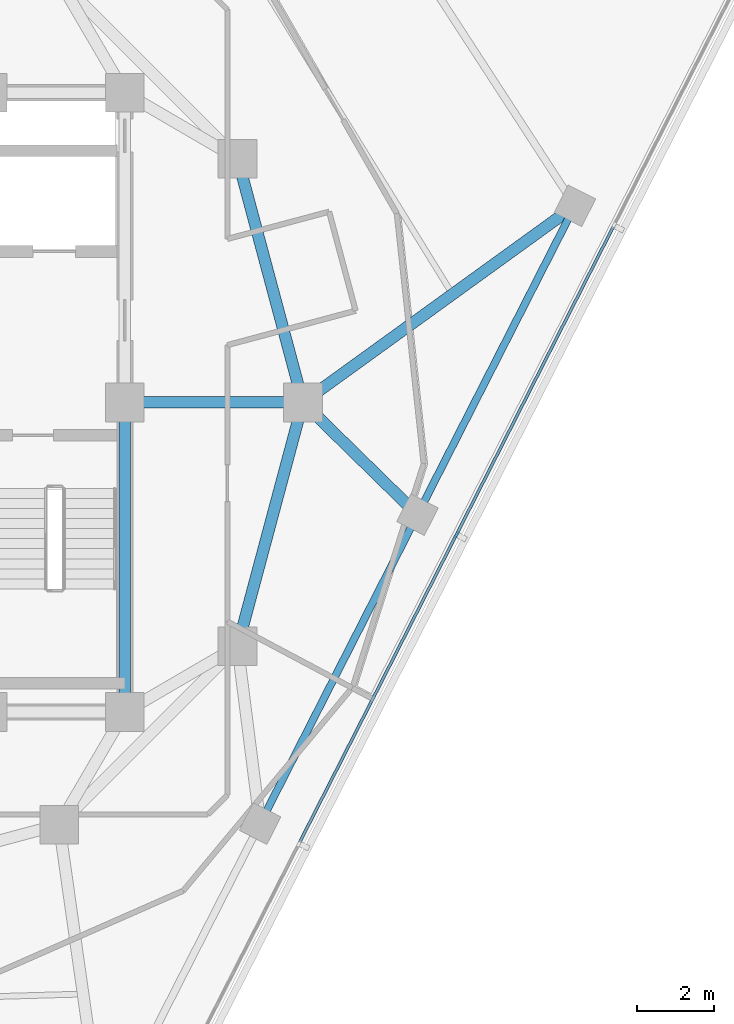
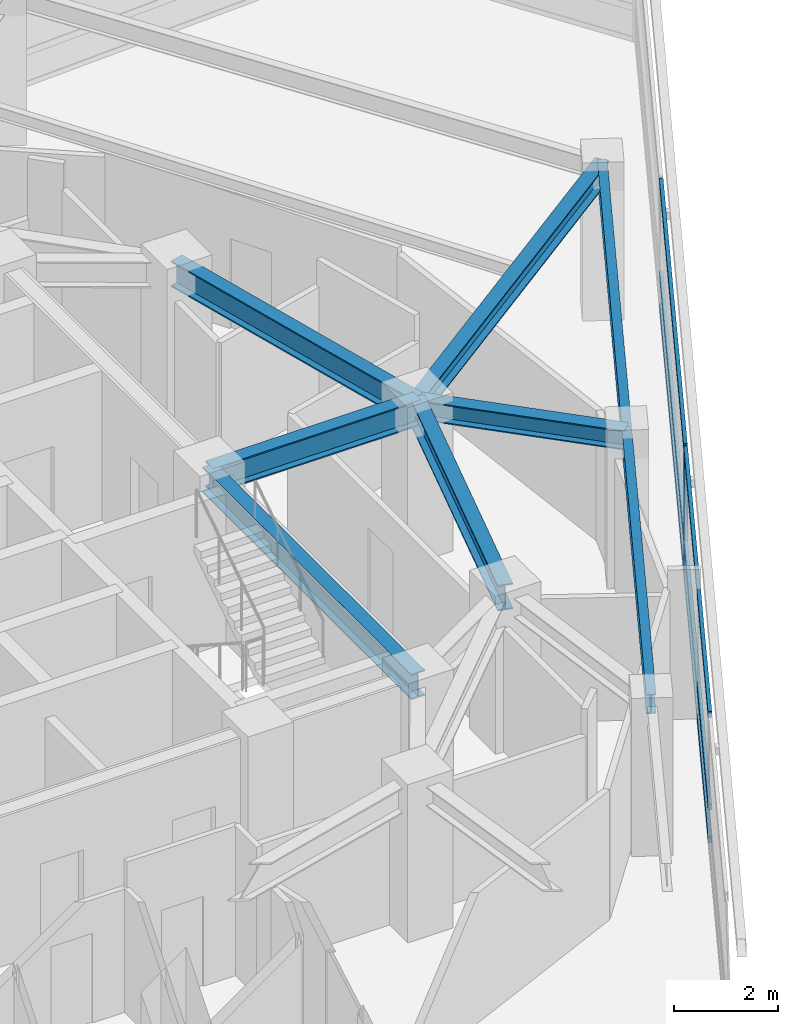
# One storey, part 4 of 15: 8 beams, 7 members, 1 element without a shape of its own.
"""IFC4 building model written with IfcOpenShell, lengths in metres."""

from ifc_helpers import new_model, si_unit, direction, frame, origin, origin_2d, place, context, subcontext, project, spatial, rectangle, i_section, extrude, material, layer, layer_set, material_profile, profile_set, type_object, element, aggregate, save


model = new_model("IFC4")

# Units and contexts
model_context = context("Model", 3, precision=1e-05, world=origin(), true_north=direction((0.0, 1.0)))
body_context = subcontext(model_context, "Body", "Model", "MODEL_VIEW")
ifc_project = project(units=[si_unit("LENGTHUNIT", "METRE"), si_unit("AREAUNIT", "SQUARE_METRE"), si_unit("VOLUMEUNIT", "CUBIC_METRE"), si_unit("PLANEANGLEUNIT", "RADIAN"), si_unit("MASSUNIT", "GRAM", prefix="KILO")], contexts=[model_context])

# Site, building, storey
site_placement = place(None, origin())
site = spatial("IfcSite", under=ifc_project, at=site_placement, CompositionType="ELEMENT")
building_placement = place(site_placement, origin())
building = spatial("IfcBuilding", under=site, at=building_placement, Name="Terralouvre Media Tower", CompositionType="ELEMENT")
storey_placement = place(building_placement, frame((0.0, 0.0, 267.0)))
storey = spatial("IfcBuildingStorey", under=building, at=storey_placement, Name="L69", CompositionType="ELEMENT", Elevation=267.0)

# Curtain wall, members
ifc_material_1 = material(Name="Low-iron laminated double glazing with solar-control coating", Category="glass")
ifc_layer = layer(ifc_material_1, 0.1650390625, Name="Upper Executive Tower Curtain Wall CW-05")
ifc_layer_set = layer_set([ifc_layer], Name="Low-iron laminated double glazing with solar-control coating")
curtain_wall_type = type_object("IfcCurtainWallType", Name="Upper Executive Tower Curtain Wall CW-05", PredefinedType="NOTDEFINED", material=ifc_layer_set)
curtain_wall_placement = place(storey_placement, origin())
curtain_wall = element("IfcCurtainWall", 1, at=curtain_wall_placement, inside=storey, type_object=curtain_wall_type, Name="L69 Facade Curtain Wall F0", PredefinedType="NOTDEFINED")
ifc_material_2 = material(Name="Anodised extruded aluminium 6063-T6", Category="aluminium")
ifc_material_profile_1 = material_profile(ifc_material_2, rectangle(XDim=0.074951171875, YDim=0.14990234375, at=origin_2d()), Name="ALU 75x150")
ifc_profile_set_1 = profile_set([ifc_material_profile_1], Name="Anodised extruded aluminium 6063-T6")
member_type_1 = type_object("IfcMemberType", Name="Curtain-Wall Horizontal Transom TR-150", PredefinedType="USERDEFINED", material=ifc_profile_set_1)
member_1_placement = place(storey_placement, frame((12.517822265625, -11.364013671875, 0.03759765625), z_axis=(0.4539932871, 0.891005103952, 0.0), x_axis=(-0.891005103952, 0.4539932871, 0.0)))
member_1 = element("IfcMember", 2, at=member_1_placement, type_object=member_type_1, Name="CW-05 transom 3.1", ObjectType="TRANSOM", PredefinedType="USERDEFINED", context=body_context, shape_type="SweptSolid", body=[
    extrude(rectangle(XDim=0.074951171875, YDim=0.14990234375, at=origin_2d()), origin(), (0.0, 0.0, 1.0), 8.885009765625),
])
member_2_placement = place(storey_placement, frame((12.517822265625, -11.364013671875, 0.800048828125), z_axis=(0.4539932871, 0.891005103952, 0.0), x_axis=(-0.891005103952, 0.4539932871, 0.0)))
member_2 = element("IfcMember", 3, at=member_2_placement, type_object=member_type_1, Name="CW-05 transom 3.2", ObjectType="TRANSOM", PredefinedType="USERDEFINED", context=body_context, shape_type="SweptSolid", body=[
    extrude(rectangle(XDim=0.074951171875, YDim=0.14990234375, at=origin_2d()), origin(), (0.0, 0.0, 1.0), 8.885009765625),
])
member_3_placement = place(storey_placement, frame((12.517822265625, -11.364013671875, 2.96240234375), z_axis=(0.4539932871, 0.891005103952, 0.0), x_axis=(-0.891005103952, 0.4539932871, 0.0)))
member_3 = element("IfcMember", 4, at=member_3_placement, type_object=member_type_1, Name="CW-05 transom 3.3", ObjectType="TRANSOM", PredefinedType="USERDEFINED", context=body_context, shape_type="SweptSolid", body=[
    extrude(rectangle(XDim=0.074951171875, YDim=0.14990234375, at=origin_2d()), origin(), (0.0, 0.0, 1.0), 8.885009765625),
])
member_4_placement = place(storey_placement, frame((16.585693359375, -3.380615234375, 0.03759765625), z_axis=(0.4539932871, 0.891005103952, 0.0), x_axis=(-0.891005103952, 0.4539932871, 0.0)))
member_4 = element("IfcMember", 5, at=member_4_placement, type_object=member_type_1, Name="CW-05 transom 4.1", ObjectType="TRANSOM", PredefinedType="USERDEFINED", context=body_context, shape_type="SweptSolid", body=[
    extrude(rectangle(XDim=0.074951171875, YDim=0.14990234375, at=origin_2d()), origin(), (0.0, 0.0, 1.0), 8.885009765625),
])
member_5_placement = place(storey_placement, frame((16.585693359375, -3.380615234375, 0.800048828125), z_axis=(0.4539932871, 0.891005103952, 0.0), x_axis=(-0.891005103952, 0.4539932871, 0.0)))
member_5 = element("IfcMember", 6, at=member_5_placement, type_object=member_type_1, Name="CW-05 transom 4.2", ObjectType="TRANSOM", PredefinedType="USERDEFINED", context=body_context, shape_type="SweptSolid", body=[
    extrude(rectangle(XDim=0.074951171875, YDim=0.14990234375, at=origin_2d()), origin(), (0.0, 0.0, 1.0), 8.885009765625),
])
member_6_placement = place(storey_placement, frame((16.585693359375, -3.380615234375, 2.96240234375), z_axis=(0.4539932871, 0.891005103952, 0.0), x_axis=(-0.891005103952, 0.4539932871, 0.0)))
member_6 = element("IfcMember", 7, at=member_6_placement, type_object=member_type_1, Name="CW-05 transom 4.3", ObjectType="TRANSOM", PredefinedType="USERDEFINED", context=body_context, shape_type="SweptSolid", body=[
    extrude(rectangle(XDim=0.074951171875, YDim=0.14990234375, at=origin_2d()), origin(), (0.0, 0.0, 1.0), 8.885009765625),
])
ifc_material_3 = material(Name="Anodised extruded aluminium 6063-T6", Category="aluminium")
ifc_material_profile_2 = material_profile(ifc_material_3, rectangle(XDim=0.074951171875, YDim=0.179931640625, at=origin_2d()), Name="ALU 75x180")
ifc_profile_set_2 = profile_set([ifc_material_profile_2], Name="Anodised extruded aluminium 6063-T6")
member_type_2 = type_object("IfcMemberType", Name="Curtain-Wall Vertical Mullion ML-180", PredefinedType="MULLION", material=ifc_profile_set_2)
member_7_placement = place(storey_placement, frame((16.568603515625, -3.4140625, 0.0), z_axis=(0.0, 0.0, 1.0), x_axis=(-0.891006553308, 0.45399044259, 0.0)))
member_7 = element("IfcMember", 8, at=member_7_placement, type_object=member_type_2, Name="CW-05 mullion 4", PredefinedType="MULLION", context=body_context, shape_type="SweptSolid", body=[
    extrude(rectangle(XDim=0.074951171875, YDim=0.179931640625, at=origin_2d()), origin(), (0.0, 0.0, 1.0), 3.0),
])
aggregate(curtain_wall, [member_7, member_1, member_2, member_3, member_4, member_5, member_6])

# Beams
ifc_material_4 = material(Name="Structural steel S355J2", Category="steel")
ifc_material_profile_3 = material_profile(ifc_material_4, i_section(OverallWidth=0.18994140625, OverallDepth=0.449951171875, WebThickness=0.009521484375, FlangeThickness=0.0146484375, at=origin_2d()), Name="IPE 450")
ifc_profile_set_3 = profile_set([ifc_material_profile_3], Name="Structural steel S355J2")
beam_type_1 = type_object("IfcBeamType", Name="Perimeter Spandrel Beam SPB-450 (IPE 450)", PredefinedType="SPANDREL", material=ifc_profile_set_3)
for number, where, z_axis, x_axis, name in (
    (9, (11.493896484375, -10.884521484375, 3.27490234375), (0.454001700669, 0.891000816941, 0.0), (-0.891000816941, 0.454001700669, 0.0), "L69 Framing Beam BM-L69-PR05"),
    (10, (15.561767578125, -2.901123046875, 3.27490234375), (0.453980068772, 0.891011838955, 0.0), (-0.891011838955, 0.453980068772, 0.0), "L69 Framing Beam BM-L69-PR06"),
):
    element("IfcBeam", number, at=place(storey_placement, frame(where, z_axis=z_axis, x_axis=x_axis)), inside=storey, type_object=beam_type_1, Name=name, PredefinedType="SPANDREL", context=body_context, shape_type="SweptSolid", body=[
        extrude(i_section(OverallWidth=0.18994140625, OverallDepth=0.449951171875, WebThickness=0.009521484375, FlangeThickness=0.0146484375, at=origin_2d()), origin(), (0.0, 0.0, 1.0), 8.9599609375),
    ])
ifc_material_5 = material(Name="Structural steel S355J2", Category="steel")
ifc_material_profile_4 = material_profile(ifc_material_5, i_section(OverallWidth=0.300048828125, OverallDepth=0.449951171875, WebThickness=0.013916015625, FlangeThickness=0.02587890625, at=origin_2d()), Name="HEB 450")
ifc_profile_set_4 = profile_set([ifc_material_profile_4], Name="Structural steel S355J2")
beam_type_2 = type_object("IfcBeamType", Name="Primary Floor Girder B-HEB450 (HEB 450)", PredefinedType="BEAM", material=ifc_profile_set_4)
beam_1_placement = place(storey_placement, frame((12.60009765625, 0.0, 3.27490234375), z_axis=(0.71437119745, -0.699766955675, 0.0), x_axis=(0.699766955675, 0.71437119745, 0.0)))
element("IfcBeam", 11, at=beam_1_placement, inside=storey, type_object=beam_type_2, Name="L69 Framing Beam BM-L69-RD06", PredefinedType="BEAM", context=body_context, shape_type="SweptSolid", body=[
    extrude(i_section(OverallWidth=0.300048828125, OverallDepth=0.449951171875, WebThickness=0.013916015625, FlangeThickness=0.02587890625, at=origin_2d()), origin(), (0.0, 0.0, 1.0), 4.145751953125),
])
beam_2_placement = place(storey_placement, frame((12.60009765625, 0.0, 3.27490234375), z_axis=(0.810374824206, 0.585911805901, 0.0), x_axis=(-0.585911805901, 0.810374824206, 0.0)))
element("IfcBeam", 12, at=beam_2_placement, inside=storey, type_object=beam_type_2, Name="L69 Framing Beam BM-L69-RD07", PredefinedType="BEAM", context=body_context, shape_type="SweptSolid", body=[
    extrude(i_section(OverallWidth=0.300048828125, OverallDepth=0.449951171875, WebThickness=0.013916015625, FlangeThickness=0.02587890625, at=origin_2d()), origin(), (0.0, 0.0, 1.0), 8.674072265625),
])
ifc_material_6 = material(Name="Structural steel S460M", Category="steel")
ifc_material_profile_5 = material_profile(ifc_material_6, i_section(OverallWidth=0.300048828125, OverallDepth=0.60009765625, WebThickness=0.015380859375, FlangeThickness=0.030029296875, at=origin_2d()), Name="HEB 600")
ifc_profile_set_5 = profile_set([ifc_material_profile_5], Name="Structural steel S460M")
beam_type_3 = type_object("IfcBeamType", Name="Primary Floor Girder B-HEB600 (HEB 600)", PredefinedType="BEAM", material=ifc_profile_set_5)
beam_3_placement = place(storey_placement, frame((8.0, -8.0, 3.199951171875), z_axis=(0.0, 1.0, 0.0), x_axis=(-1.0, 0.0, 0.0)))
element("IfcBeam", 13, at=beam_3_placement, inside=storey, type_object=beam_type_3, Name="L69 Framing Beam BM-L69-CPR04", PredefinedType="BEAM", context=body_context, shape_type="SweptSolid", body=[
    extrude(i_section(OverallWidth=0.300048828125, OverallDepth=0.60009765625, WebThickness=0.015380859375, FlangeThickness=0.030029296875, at=origin_2d()), origin(), (0.0, 0.0, 1.0), 8.0),
])
for number, where, z_axis, x_axis, name in (
    (14, (10.911865234375, -6.300048828125, 3.199951171875), (0.258838989821, 0.965920481897, 0.0), (-0.965920481897, 0.258838989821, 0.0), "L69 Framing Beam BM-L69-MR05"),
    (15, (12.60009765625, 0.0, 3.199951171875), (-0.258838989821, 0.965920481897, 0.0), (-0.965920481897, -0.258838989821, 0.0), "L69 Framing Beam BM-L69-MR06"),
):
    element("IfcBeam", number, at=place(storey_placement, frame(where, z_axis=z_axis, x_axis=x_axis)), inside=storey, type_object=beam_type_3, Name=name, PredefinedType="BEAM", context=body_context, shape_type="SweptSolid", body=[
        extrude(i_section(OverallWidth=0.300048828125, OverallDepth=0.60009765625, WebThickness=0.015380859375, FlangeThickness=0.030029296875, at=origin_2d()), origin(), (0.0, 0.0, 1.0), 6.522216796875),
    ])
beam_4_placement = place(storey_placement, frame((8.0, 0.0, 3.199951171875), z_axis=(1.0, 0.0, 0.0), x_axis=(0.0, 1.0, 0.0)))
element("IfcBeam", 16, at=beam_4_placement, inside=storey, type_object=beam_type_3, Name="L69 Framing Beam BM-L69-CM06", PredefinedType="BEAM", context=body_context, shape_type="SweptSolid", body=[
    extrude(i_section(OverallWidth=0.300048828125, OverallDepth=0.60009765625, WebThickness=0.015380859375, FlangeThickness=0.030029296875, at=origin_2d()), origin(), (0.0, 0.0, 1.0), 4.60009765625),
])

save(model, "model.ifc")
